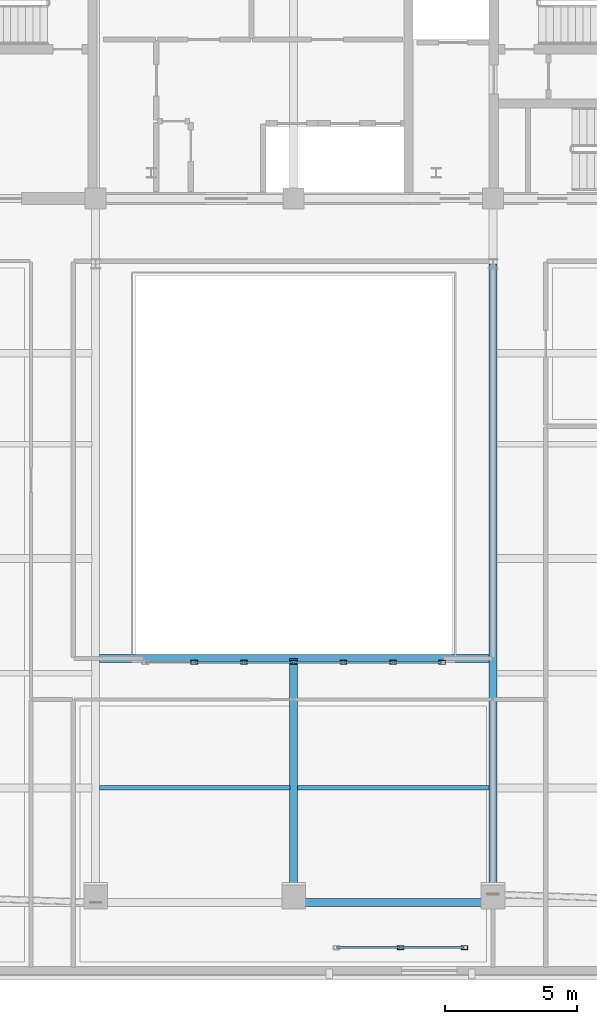
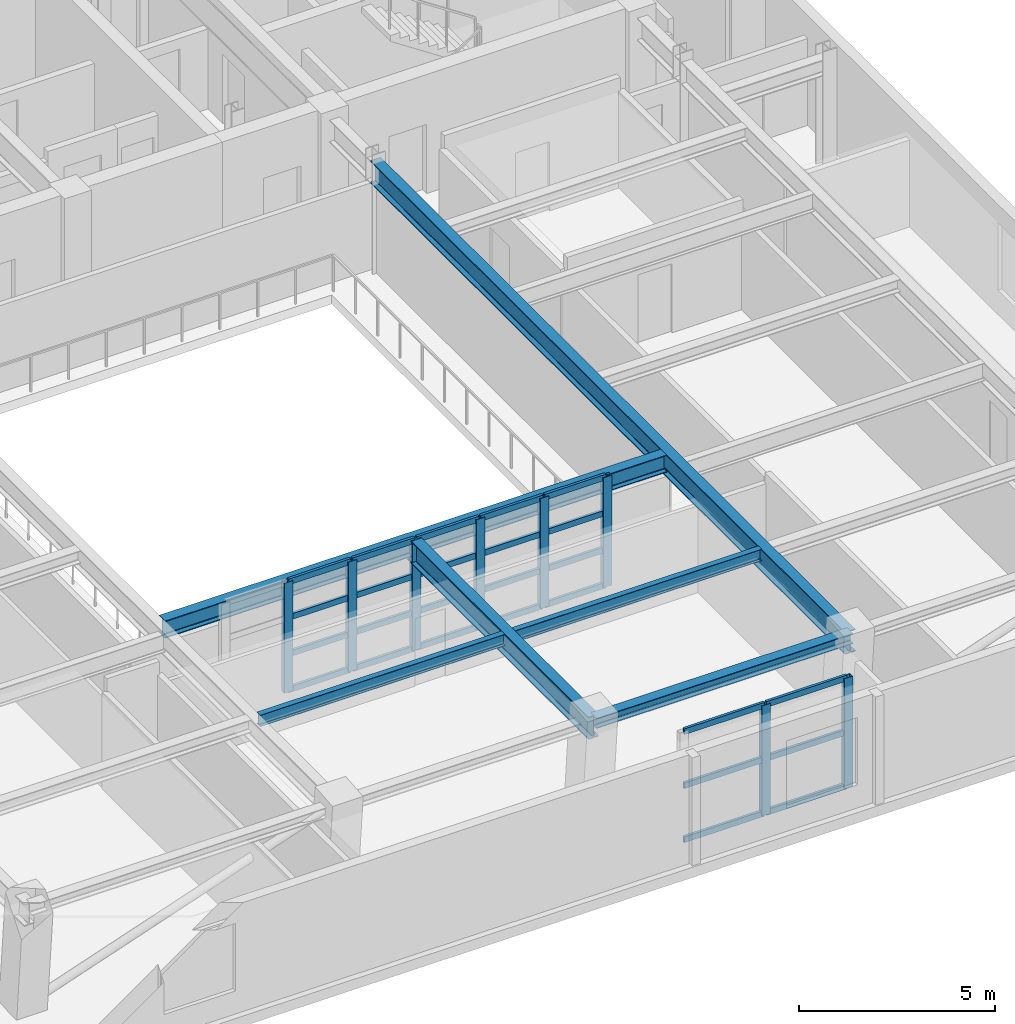
# One storey, part 3 of 12: 34 members, 6 beams, 2 elements without a shape of their own.
"""IFC4 building model written with IfcOpenShell, lengths in metres."""

from ifc_helpers import new_model, si_unit, direction, frame, origin, origin_2d, place, context, subcontext, project, spatial, hollow_rectangle, i_section, extrude, material, layer, layer_set, material_profile, profile_set, type_object, element, aggregate, save


model = new_model("IFC4")

# Units and contexts
model_context = context("Model", 3, precision=1e-05, world=origin(), true_north=direction((0.0, 1.0)))
body_context = subcontext(model_context, "Body", "Model", "MODEL_VIEW")
ifc_project = project(units=[si_unit("LENGTHUNIT", "METRE"), si_unit("AREAUNIT", "SQUARE_METRE"), si_unit("VOLUMEUNIT", "CUBIC_METRE"), si_unit("PLANEANGLEUNIT", "RADIAN"), si_unit("MASSUNIT", "GRAM", prefix="KILO")], contexts=[model_context])

# Site, building, storey
site_placement = place(None, origin())
site = spatial("IfcSite", under=ifc_project, at=site_placement, CompositionType="ELEMENT")
building_placement = place(site_placement, origin())
building = spatial("IfcBuilding", under=site, at=building_placement, Name="Zarnavel Station Tower", CompositionType="ELEMENT")
storey_placement = place(building_placement, frame((0.0, 0.0, 273.199951171875)))
storey = spatial("IfcBuildingStorey", under=building, at=storey_placement, Name="L74", CompositionType="ELEMENT", Elevation=273.199951171875)

# Curtain wall, members
ifc_material_1 = material(Name="Aluminium Dark Anodised and Solar-Control Glass", Category="aluminium")
ifc_layer = layer(ifc_material_1, 0.179931640625)
ifc_layer_set = layer_set([ifc_layer], Name="CWS6")
curtain_wall_type = type_object("IfcCurtainWallType", Name="CWS6", PredefinedType="NOTDEFINED", material=ifc_layer_set)
curtain_wall_1_placement = place(storey_placement, origin())
curtain_wall_1 = element("IfcCurtainWall", 1, at=curtain_wall_1_placement, inside=storey, type_object=curtain_wall_type, Name="L74 Curtain Wall CWS6-LOG-L74", PredefinedType="NOTDEFINED")
ifc_material_2 = material(Name="Steel S355J2 (Black Fluoropolymer Coated)", Category="steel")
ifc_material_profile_1 = material_profile(ifc_material_2, hollow_rectangle(XDim=0.14990234375, YDim=0.25, WallThickness=0.010009765625, at=origin_2d()), Name="RHS250x150x10")
ifc_profile_set_1 = profile_set([ifc_material_profile_1], Name="Steel S355J2 (Black Fluoropolymer Coated)")
member_type_1 = type_object("IfcMemberType", Name="CWS6_MUL", PredefinedType="MULLION", material=ifc_profile_set_1)
member_1_placement = place(storey_placement, frame((32.85009765625, -0.550048828125, 0.0), z_axis=(0.0, 0.0, 1.0), x_axis=(0.0, 1.0, 0.0)))
member_1 = element("IfcMember", 2, at=member_1_placement, type_object=member_type_1, Name="CW6 mullion 2", PredefinedType="MULLION", context=body_context, shape_type="SweptSolid", body=[
    extrude(hollow_rectangle(XDim=0.14990234375, YDim=0.25, WallThickness=0.010009765625, at=origin_2d()), origin(), (0.0, 0.0, 1.0), 3.420166015625),
])
member_2_placement = place(storey_placement, frame((35.27001953125, -0.550048828125, 0.0), z_axis=(0.0, 0.0, 1.0), x_axis=(0.0, 1.0, 0.0)))
member_2 = element("IfcMember", 3, at=member_2_placement, type_object=member_type_1, Name="CW6 mullion 3", PredefinedType="MULLION", context=body_context, shape_type="SweptSolid", body=[
    extrude(hollow_rectangle(XDim=0.14990234375, YDim=0.25, WallThickness=0.010009765625, at=origin_2d()), origin(), (0.0, 0.0, 1.0), 3.420166015625),
])

curtain_wall_2_placement = place(storey_placement, origin())
curtain_wall_2 = element("IfcCurtainWall", 4, at=curtain_wall_2_placement, inside=storey, type_object=curtain_wall_type, Name="L74 Curtain Wall CWS6-L74-AS", PredefinedType="NOTDEFINED")
member_3_placement = place(storey_placement, frame((25.033447265625, 10.25, 0.0), z_axis=(0.0, 0.0, 1.0), x_axis=(0.0, 1.0, 0.0)))
member_3 = element("IfcMember", 5, at=member_3_placement, type_object=member_type_1, Name="CW6 mullion 2", PredefinedType="MULLION", context=body_context, shape_type="SweptSolid", body=[
    extrude(hollow_rectangle(XDim=0.14990234375, YDim=0.25, WallThickness=0.010009765625, at=origin_2d()), origin(), (0.0, 0.0, 1.0), 3.420166015625),
])
member_4_placement = place(storey_placement, frame((26.916748046875, 10.25, 0.0), z_axis=(0.0, 0.0, 1.0), x_axis=(0.0, 1.0, 0.0)))
member_4 = element("IfcMember", 6, at=member_4_placement, type_object=member_type_1, Name="CW6 mullion 3", PredefinedType="MULLION", context=body_context, shape_type="SweptSolid", body=[
    extrude(hollow_rectangle(XDim=0.14990234375, YDim=0.25, WallThickness=0.010009765625, at=origin_2d()), origin(), (0.0, 0.0, 1.0), 3.420166015625),
])
member_5_placement = place(storey_placement, frame((28.800048828125, 10.25, 0.0), z_axis=(0.0, 0.0, 1.0), x_axis=(0.0, 1.0, 0.0)))
member_5 = element("IfcMember", 7, at=member_5_placement, type_object=member_type_1, Name="CW6 mullion 4", PredefinedType="MULLION", context=body_context, shape_type="SweptSolid", body=[
    extrude(hollow_rectangle(XDim=0.14990234375, YDim=0.25, WallThickness=0.010009765625, at=origin_2d()), origin(), (0.0, 0.0, 1.0), 3.420166015625),
])
member_6_placement = place(storey_placement, frame((30.683349609375, 10.25, 0.0), z_axis=(0.0, 0.0, 1.0), x_axis=(0.0, 1.0, 0.0)))
member_6 = element("IfcMember", 8, at=member_6_placement, type_object=member_type_1, Name="CW6 mullion 5", PredefinedType="MULLION", context=body_context, shape_type="SweptSolid", body=[
    extrude(hollow_rectangle(XDim=0.14990234375, YDim=0.25, WallThickness=0.010009765625, at=origin_2d()), origin(), (0.0, 0.0, 1.0), 3.420166015625),
])
member_7_placement = place(storey_placement, frame((32.566650390625, 10.25, 0.0), z_axis=(0.0, 0.0, 1.0), x_axis=(0.0, 1.0, 0.0)))
member_7 = element("IfcMember", 9, at=member_7_placement, type_object=member_type_1, Name="CW6 mullion 6", PredefinedType="MULLION", context=body_context, shape_type="SweptSolid", body=[
    extrude(hollow_rectangle(XDim=0.14990234375, YDim=0.25, WallThickness=0.010009765625, at=origin_2d()), origin(), (0.0, 0.0, 1.0), 3.420166015625),
])
member_8_placement = place(storey_placement, frame((34.419921875, 10.25, 0.0), z_axis=(0.0, 0.0, 1.0), x_axis=(0.0, 1.0, 0.0)))
member_8 = element("IfcMember", 10, at=member_8_placement, type_object=member_type_1, Name="CW6 mullion 7", PredefinedType="MULLION", context=body_context, shape_type="SweptSolid", body=[
    extrude(hollow_rectangle(XDim=0.14990234375, YDim=0.25, WallThickness=0.010009765625, at=origin_2d()), origin(), (0.0, 0.0, 1.0), 3.420166015625),
])

# Member
ifc_material_3 = material(Name="Steel S355J2 (Black Fluoropolymer Coated)", Category="steel")
ifc_material_profile_2 = material_profile(ifc_material_3, hollow_rectangle(XDim=0.080078125, YDim=0.179931640625, WallThickness=0.00634765625, at=origin_2d()), Name="RHS180x80x6.3")
ifc_profile_set_2 = profile_set([ifc_material_profile_2], Name="Steel S355J2 (Black Fluoropolymer Coated)")
member_type_2 = type_object("IfcMemberType", Name="CWS6_TRN", PredefinedType="USERDEFINED", material=ifc_profile_set_2)
member_9_placement = place(storey_placement, frame((30.4599609375, -0.550048828125, 0.030029296875), z_axis=(1.0, 0.0, 0.0), x_axis=(0.0, 1.0, 0.0)))
member_9 = element("IfcMember", 11, at=member_9_placement, type_object=member_type_2, Name="CW6 transom 1.1", ObjectType="TRANSOM", PredefinedType="USERDEFINED", context=body_context, shape_type="SweptSolid", body=[
    extrude(hollow_rectangle(XDim=0.080078125, YDim=0.179931640625, WallThickness=0.00634765625, at=origin_2d()), origin(), (0.0, 0.0, 1.0), 2.360107421875),
])

member_10_placement = place(storey_placement, frame((30.4599609375, -0.550048828125, 1.7099609375), z_axis=(1.0, 0.0, 0.0), x_axis=(0.0, 1.0, 0.0)))
member_10 = element("IfcMember", 12, at=member_10_placement, type_object=member_type_2, Name="CW6 transom 1.2", ObjectType="TRANSOM", PredefinedType="USERDEFINED", context=body_context, shape_type="SweptSolid", body=[
    extrude(hollow_rectangle(XDim=0.080078125, YDim=0.179931640625, WallThickness=0.00634765625, at=origin_2d()), origin(), (0.0, 0.0, 1.0), 2.360107421875),
])

member_11_placement = place(storey_placement, frame((30.4599609375, -0.550048828125, 3.39013671875), z_axis=(1.0, 0.0, 0.0), x_axis=(0.0, 1.0, 0.0)))
member_11 = element("IfcMember", 13, at=member_11_placement, type_object=member_type_2, Name="CW6 transom 1.3", ObjectType="TRANSOM", PredefinedType="USERDEFINED", context=body_context, shape_type="SweptSolid", body=[
    extrude(hollow_rectangle(XDim=0.080078125, YDim=0.179931640625, WallThickness=0.00634765625, at=origin_2d()), origin(), (0.0, 0.0, 1.0), 2.360107421875),
])

member_12_placement = place(storey_placement, frame((32.8798828125, -0.550048828125, 0.030029296875), z_axis=(1.0, 0.0, 0.0), x_axis=(0.0, 1.0, 0.0)))
member_12 = element("IfcMember", 14, at=member_12_placement, type_object=member_type_2, Name="CW6 transom 2.1", ObjectType="TRANSOM", PredefinedType="USERDEFINED", context=body_context, shape_type="SweptSolid", body=[
    extrude(hollow_rectangle(XDim=0.080078125, YDim=0.179931640625, WallThickness=0.00634765625, at=origin_2d()), origin(), (0.0, 0.0, 1.0), 2.360107421875),
])

member_13_placement = place(storey_placement, frame((32.8798828125, -0.550048828125, 1.7099609375), z_axis=(1.0, 0.0, 0.0), x_axis=(0.0, 1.0, 0.0)))
member_13 = element("IfcMember", 15, at=member_13_placement, type_object=member_type_2, Name="CW6 transom 2.2", ObjectType="TRANSOM", PredefinedType="USERDEFINED", context=body_context, shape_type="SweptSolid", body=[
    extrude(hollow_rectangle(XDim=0.080078125, YDim=0.179931640625, WallThickness=0.00634765625, at=origin_2d()), origin(), (0.0, 0.0, 1.0), 2.360107421875),
])

member_14_placement = place(storey_placement, frame((32.8798828125, -0.550048828125, 3.39013671875), z_axis=(1.0, 0.0, 0.0), x_axis=(0.0, 1.0, 0.0)))
member_14 = element("IfcMember", 16, at=member_14_placement, type_object=member_type_2, Name="CW6 transom 2.3", ObjectType="TRANSOM", PredefinedType="USERDEFINED", context=body_context, shape_type="SweptSolid", body=[
    extrude(hollow_rectangle(XDim=0.080078125, YDim=0.179931640625, WallThickness=0.00634765625, at=origin_2d()), origin(), (0.0, 0.0, 1.0), 2.360107421875),
])

aggregate(curtain_wall_1, [member_1, member_2, member_9, member_10, member_11, member_12, member_13, member_14])

member_15_placement = place(storey_placement, frame((25.063232421875, 10.25, 0.030029296875), z_axis=(1.0, 0.0, 0.0), x_axis=(0.0, 1.0, 0.0)))
member_15 = element("IfcMember", 17, at=member_15_placement, type_object=member_type_2, Name="CW6 transom 2.1", ObjectType="TRANSOM", PredefinedType="USERDEFINED", context=body_context, shape_type="SweptSolid", body=[
    extrude(hollow_rectangle(XDim=0.080078125, YDim=0.179931640625, WallThickness=0.00634765625, at=origin_2d()), origin(), (0.0, 0.0, 1.0), 1.823486328125),
])

member_16_placement = place(storey_placement, frame((25.063232421875, 10.25, 1.14013671875), z_axis=(1.0, 0.0, 0.0), x_axis=(0.0, 1.0, 0.0)))
member_16 = element("IfcMember", 18, at=member_16_placement, type_object=member_type_2, Name="CW6 transom 2.2", ObjectType="TRANSOM", PredefinedType="USERDEFINED", context=body_context, shape_type="SweptSolid", body=[
    extrude(hollow_rectangle(XDim=0.080078125, YDim=0.179931640625, WallThickness=0.00634765625, at=origin_2d()), origin(), (0.0, 0.0, 1.0), 1.823486328125),
])

member_17_placement = place(storey_placement, frame((25.063232421875, 10.25, 2.280029296875), z_axis=(1.0, 0.0, 0.0), x_axis=(0.0, 1.0, 0.0)))
member_17 = element("IfcMember", 19, at=member_17_placement, type_object=member_type_2, Name="CW6 transom 2.3", ObjectType="TRANSOM", PredefinedType="USERDEFINED", context=body_context, shape_type="SweptSolid", body=[
    extrude(hollow_rectangle(XDim=0.080078125, YDim=0.179931640625, WallThickness=0.00634765625, at=origin_2d()), origin(), (0.0, 0.0, 1.0), 1.823486328125),
])

member_18_placement = place(storey_placement, frame((25.063232421875, 10.25, 3.39013671875), z_axis=(1.0, 0.0, 0.0), x_axis=(0.0, 1.0, 0.0)))
member_18 = element("IfcMember", 20, at=member_18_placement, type_object=member_type_2, Name="CW6 transom 2.4", ObjectType="TRANSOM", PredefinedType="USERDEFINED", context=body_context, shape_type="SweptSolid", body=[
    extrude(hollow_rectangle(XDim=0.080078125, YDim=0.179931640625, WallThickness=0.00634765625, at=origin_2d()), origin(), (0.0, 0.0, 1.0), 1.823486328125),
])

member_19_placement = place(storey_placement, frame((26.94677734375, 10.25, 0.030029296875), z_axis=(1.0, 0.0, 0.0), x_axis=(0.0, 1.0, 0.0)))
member_19 = element("IfcMember", 21, at=member_19_placement, type_object=member_type_2, Name="CW6 transom 3.1", ObjectType="TRANSOM", PredefinedType="USERDEFINED", context=body_context, shape_type="SweptSolid", body=[
    extrude(hollow_rectangle(XDim=0.080078125, YDim=0.179931640625, WallThickness=0.00634765625, at=origin_2d()), origin(), (0.0, 0.0, 1.0), 1.8232421875),
])

member_20_placement = place(storey_placement, frame((26.94677734375, 10.25, 1.14013671875), z_axis=(1.0, 0.0, 0.0), x_axis=(0.0, 1.0, 0.0)))
member_20 = element("IfcMember", 22, at=member_20_placement, type_object=member_type_2, Name="CW6 transom 3.2", ObjectType="TRANSOM", PredefinedType="USERDEFINED", context=body_context, shape_type="SweptSolid", body=[
    extrude(hollow_rectangle(XDim=0.080078125, YDim=0.179931640625, WallThickness=0.00634765625, at=origin_2d()), origin(), (0.0, 0.0, 1.0), 1.8232421875),
])

member_21_placement = place(storey_placement, frame((26.94677734375, 10.25, 2.280029296875), z_axis=(1.0, 0.0, 0.0), x_axis=(0.0, 1.0, 0.0)))
member_21 = element("IfcMember", 23, at=member_21_placement, type_object=member_type_2, Name="CW6 transom 3.3", ObjectType="TRANSOM", PredefinedType="USERDEFINED", context=body_context, shape_type="SweptSolid", body=[
    extrude(hollow_rectangle(XDim=0.080078125, YDim=0.179931640625, WallThickness=0.00634765625, at=origin_2d()), origin(), (0.0, 0.0, 1.0), 1.8232421875),
])

member_22_placement = place(storey_placement, frame((26.94677734375, 10.25, 3.39013671875), z_axis=(1.0, 0.0, 0.0), x_axis=(0.0, 1.0, 0.0)))
member_22 = element("IfcMember", 24, at=member_22_placement, type_object=member_type_2, Name="CW6 transom 3.4", ObjectType="TRANSOM", PredefinedType="USERDEFINED", context=body_context, shape_type="SweptSolid", body=[
    extrude(hollow_rectangle(XDim=0.080078125, YDim=0.179931640625, WallThickness=0.00634765625, at=origin_2d()), origin(), (0.0, 0.0, 1.0), 1.8232421875),
])

member_23_placement = place(storey_placement, frame((28.830078125, 10.25, 0.030029296875), z_axis=(1.0, 0.0, 0.0), x_axis=(0.0, 1.0, 0.0)))
member_23 = element("IfcMember", 25, at=member_23_placement, type_object=member_type_2, Name="CW6 transom 4.1", ObjectType="TRANSOM", PredefinedType="USERDEFINED", context=body_context, shape_type="SweptSolid", body=[
    extrude(hollow_rectangle(XDim=0.080078125, YDim=0.179931640625, WallThickness=0.00634765625, at=origin_2d()), origin(), (0.0, 0.0, 1.0), 1.8232421875),
])

member_24_placement = place(storey_placement, frame((28.830078125, 10.25, 1.14013671875), z_axis=(1.0, 0.0, 0.0), x_axis=(0.0, 1.0, 0.0)))
member_24 = element("IfcMember", 26, at=member_24_placement, type_object=member_type_2, Name="CW6 transom 4.2", ObjectType="TRANSOM", PredefinedType="USERDEFINED", context=body_context, shape_type="SweptSolid", body=[
    extrude(hollow_rectangle(XDim=0.080078125, YDim=0.179931640625, WallThickness=0.00634765625, at=origin_2d()), origin(), (0.0, 0.0, 1.0), 1.8232421875),
])

member_25_placement = place(storey_placement, frame((28.830078125, 10.25, 2.280029296875), z_axis=(1.0, 0.0, 0.0), x_axis=(0.0, 1.0, 0.0)))
member_25 = element("IfcMember", 27, at=member_25_placement, type_object=member_type_2, Name="CW6 transom 4.3", ObjectType="TRANSOM", PredefinedType="USERDEFINED", context=body_context, shape_type="SweptSolid", body=[
    extrude(hollow_rectangle(XDim=0.080078125, YDim=0.179931640625, WallThickness=0.00634765625, at=origin_2d()), origin(), (0.0, 0.0, 1.0), 1.8232421875),
])

member_26_placement = place(storey_placement, frame((28.830078125, 10.25, 3.39013671875), z_axis=(1.0, 0.0, 0.0), x_axis=(0.0, 1.0, 0.0)))
member_26 = element("IfcMember", 28, at=member_26_placement, type_object=member_type_2, Name="CW6 transom 4.4", ObjectType="TRANSOM", PredefinedType="USERDEFINED", context=body_context, shape_type="SweptSolid", body=[
    extrude(hollow_rectangle(XDim=0.080078125, YDim=0.179931640625, WallThickness=0.00634765625, at=origin_2d()), origin(), (0.0, 0.0, 1.0), 1.8232421875),
])

member_27_placement = place(storey_placement, frame((30.71337890625, 10.25, 0.030029296875), z_axis=(1.0, 0.0, 0.0), x_axis=(0.0, 1.0, 0.0)))
member_27 = element("IfcMember", 29, at=member_27_placement, type_object=member_type_2, Name="CW6 transom 5.1", ObjectType="TRANSOM", PredefinedType="USERDEFINED", context=body_context, shape_type="SweptSolid", body=[
    extrude(hollow_rectangle(XDim=0.080078125, YDim=0.179931640625, WallThickness=0.00634765625, at=origin_2d()), origin(), (0.0, 0.0, 1.0), 1.8232421875),
])

member_28_placement = place(storey_placement, frame((30.71337890625, 10.25, 1.14013671875), z_axis=(1.0, 0.0, 0.0), x_axis=(0.0, 1.0, 0.0)))
member_28 = element("IfcMember", 30, at=member_28_placement, type_object=member_type_2, Name="CW6 transom 5.2", ObjectType="TRANSOM", PredefinedType="USERDEFINED", context=body_context, shape_type="SweptSolid", body=[
    extrude(hollow_rectangle(XDim=0.080078125, YDim=0.179931640625, WallThickness=0.00634765625, at=origin_2d()), origin(), (0.0, 0.0, 1.0), 1.8232421875),
])

member_29_placement = place(storey_placement, frame((30.71337890625, 10.25, 2.280029296875), z_axis=(1.0, 0.0, 0.0), x_axis=(0.0, 1.0, 0.0)))
member_29 = element("IfcMember", 31, at=member_29_placement, type_object=member_type_2, Name="CW6 transom 5.3", ObjectType="TRANSOM", PredefinedType="USERDEFINED", context=body_context, shape_type="SweptSolid", body=[
    extrude(hollow_rectangle(XDim=0.080078125, YDim=0.179931640625, WallThickness=0.00634765625, at=origin_2d()), origin(), (0.0, 0.0, 1.0), 1.8232421875),
])

member_30_placement = place(storey_placement, frame((30.71337890625, 10.25, 3.39013671875), z_axis=(1.0, 0.0, 0.0), x_axis=(0.0, 1.0, 0.0)))
member_30 = element("IfcMember", 32, at=member_30_placement, type_object=member_type_2, Name="CW6 transom 5.4", ObjectType="TRANSOM", PredefinedType="USERDEFINED", context=body_context, shape_type="SweptSolid", body=[
    extrude(hollow_rectangle(XDim=0.080078125, YDim=0.179931640625, WallThickness=0.00634765625, at=origin_2d()), origin(), (0.0, 0.0, 1.0), 1.8232421875),
])

member_31_placement = place(storey_placement, frame((32.5966796875, 10.25, 0.030029296875), z_axis=(1.0, 0.0, 0.0), x_axis=(0.0, 1.0, 0.0)))
member_31 = element("IfcMember", 33, at=member_31_placement, type_object=member_type_2, Name="CW6 transom 6.1", ObjectType="TRANSOM", PredefinedType="USERDEFINED", context=body_context, shape_type="SweptSolid", body=[
    extrude(hollow_rectangle(XDim=0.080078125, YDim=0.179931640625, WallThickness=0.00634765625, at=origin_2d()), origin(), (0.0, 0.0, 1.0), 1.793212890625),
])

member_32_placement = place(storey_placement, frame((32.5966796875, 10.25, 1.14013671875), z_axis=(1.0, 0.0, 0.0), x_axis=(0.0, 1.0, 0.0)))
member_32 = element("IfcMember", 34, at=member_32_placement, type_object=member_type_2, Name="CW6 transom 6.2", ObjectType="TRANSOM", PredefinedType="USERDEFINED", context=body_context, shape_type="SweptSolid", body=[
    extrude(hollow_rectangle(XDim=0.080078125, YDim=0.179931640625, WallThickness=0.00634765625, at=origin_2d()), origin(), (0.0, 0.0, 1.0), 1.793212890625),
])

member_33_placement = place(storey_placement, frame((32.5966796875, 10.25, 2.280029296875), z_axis=(1.0, 0.0, 0.0), x_axis=(0.0, 1.0, 0.0)))
member_33 = element("IfcMember", 35, at=member_33_placement, type_object=member_type_2, Name="CW6 transom 6.3", ObjectType="TRANSOM", PredefinedType="USERDEFINED", context=body_context, shape_type="SweptSolid", body=[
    extrude(hollow_rectangle(XDim=0.080078125, YDim=0.179931640625, WallThickness=0.00634765625, at=origin_2d()), origin(), (0.0, 0.0, 1.0), 1.793212890625),
])

member_34_placement = place(storey_placement, frame((32.5966796875, 10.25, 3.39013671875), z_axis=(1.0, 0.0, 0.0), x_axis=(0.0, 1.0, 0.0)))
member_34 = element("IfcMember", 36, at=member_34_placement, type_object=member_type_2, Name="CW6 transom 6.4", ObjectType="TRANSOM", PredefinedType="USERDEFINED", context=body_context, shape_type="SweptSolid", body=[
    extrude(hollow_rectangle(XDim=0.080078125, YDim=0.179931640625, WallThickness=0.00634765625, at=origin_2d()), origin(), (0.0, 0.0, 1.0), 1.793212890625),
])

aggregate(curtain_wall_2, [member_3, member_4, member_5, member_6, member_7, member_8, member_15, member_16, member_17, member_18, member_19, member_20, member_21, member_22, member_23, member_24, member_25, member_26, member_27, member_28, member_29, member_30, member_31, member_32, member_33, member_34])

# Beams
ifc_material_4 = material(Name="Steel S355J2", Category="steel")
ifc_material_profile_3 = material_profile(ifc_material_4, i_section(OverallWidth=0.300048828125, OverallDepth=0.320068359375, WebThickness=0.011474609375, FlangeThickness=0.0205078125, FilletRadius=0.027099609375, at=origin_2d()), Name="HEB320")
ifc_profile_set_3 = profile_set([ifc_material_profile_3], Name="Steel S355J2")
beam_type_1 = type_object("IfcBeamType", Name="EB_HEB320", PredefinedType="SPANDREL", material=ifc_profile_set_3)
beam_1_placement = place(storey_placement, frame((28.800048828125, 1.16064453125, 3.260009765625), z_axis=(1.0, 0.0, 0.0), x_axis=(0.0, 1.0, 0.0)))
element("IfcBeam", 37, at=beam_1_placement, inside=storey, type_object=beam_type_1, Name="L74 South Raked Spandrel 3", PredefinedType="SPANDREL", context=body_context, shape_type="SweptSolid", body=[
    extrude(i_section(OverallWidth=0.300048828125, OverallDepth=0.320068359375, WebThickness=0.011474609375, FlangeThickness=0.0205078125, FilletRadius=0.027099609375, at=origin_2d()), origin(), (0.0, 0.0, 1.0), 7.550048828125),
])
ifc_material_5 = material(Name="Steel S355J2", Category="steel")
ifc_material_profile_4 = material_profile(ifc_material_5, i_section(OverallWidth=0.300048828125, OverallDepth=0.5400390625, WebThickness=0.012451171875, FlangeThickness=0.02392578125, FilletRadius=0.027099609375, at=origin_2d()), Name="HEA550")
ifc_profile_set_4 = profile_set([ifc_material_profile_4], Name="Steel S355J2")
beam_type_2 = type_object("IfcBeamType", Name="FB_HEA550", PredefinedType="BEAM", material=ifc_profile_set_4)
beam_2_placement = place(storey_placement, frame((21.445068359375, 10.39990234375, 3.150146484375), z_axis=(1.0, 0.0, 0.0), x_axis=(0.0, 1.0, 0.0)))
element("IfcBeam", 38, at=beam_2_placement, inside=storey, type_object=beam_type_2, Name="L74 Atrium South Edge Girder", PredefinedType="BEAM", context=body_context, shape_type="SweptSolid", body=[
    extrude(i_section(OverallWidth=0.300048828125, OverallDepth=0.5400390625, WebThickness=0.012451171875, FlangeThickness=0.02392578125, FilletRadius=0.027099609375, at=origin_2d()), origin(), (0.0, 0.0, 1.0), 14.760009765625),
])
ifc_material_6 = material(Name="Steel S355J2", Category="steel")
ifc_material_profile_5 = material_profile(ifc_material_6, i_section(OverallWidth=0.300048828125, OverallDepth=0.699951171875, WebThickness=0.01708984375, FlangeThickness=0.031982421875, FilletRadius=0.027099609375, at=origin_2d()), Name="HEB700")
ifc_profile_set_5 = profile_set([ifc_material_profile_5], Name="Steel S355J2")
beam_type_3 = type_object("IfcBeamType", Name="FG_HEB700", PredefinedType="USERDEFINED", material=ifc_profile_set_5)
beam_3_placement = place(storey_placement, frame((28.800048828125, 1.16064453125, 3.070068359375), z_axis=(0.0, 1.0, 0.0), x_axis=(-1.0, 0.0, 0.0)))
element("IfcBeam", 39, at=beam_3_placement, inside=storey, type_object=beam_type_3, Name="L74 Central Atrium-South Girder", ObjectType="GIRDER", PredefinedType="USERDEFINED", context=body_context, shape_type="SweptSolid", body=[
    extrude(i_section(OverallWidth=0.300048828125, OverallDepth=0.699951171875, WebThickness=0.01708984375, FlangeThickness=0.031982421875, FilletRadius=0.027099609375, at=origin_2d()), origin(), (0.0, 0.0, 1.0), 9.2392578125),
])
beam_4_placement = place(storey_placement, frame((36.35009765625, 1.16064453125, 3.070068359375), z_axis=(0.0, 1.0, 0.0), x_axis=(-1.0, 0.0, 0.0)))
element("IfcBeam", 40, at=beam_4_placement, inside=storey, type_object=beam_type_3, Name="L74 South-Zone NS Girder 4", ObjectType="GIRDER", PredefinedType="USERDEFINED", context=body_context, shape_type="SweptSolid", body=[
    extrude(i_section(OverallWidth=0.300048828125, OverallDepth=0.699951171875, WebThickness=0.01708984375, FlangeThickness=0.031982421875, FilletRadius=0.027099609375, at=origin_2d()), origin(), (0.0, 0.0, 1.0), 24.189453125),
])
ifc_material_7 = material(Name="Steel S355J2", Category="steel")
ifc_material_profile_6 = material_profile(ifc_material_7, i_section(OverallWidth=0.169921875, OverallDepth=0.360107421875, WebThickness=0.008056640625, FlangeThickness=0.0126953125, FilletRadius=0.01806640625, at=origin_2d()), Name="IPE360")
ifc_profile_set_6 = profile_set([ifc_material_profile_6], Name="Steel S355J2")
beam_type_4 = type_object("IfcBeamType", Name="FJ_IPE360", PredefinedType="JOIST", material=ifc_profile_set_6)
beam_5_placement = place(storey_placement, frame((21.445068359375, 5.50048828125, 3.239990234375), z_axis=(1.0, 0.0, 0.0), x_axis=(0.0, 1.0, 0.0)))
element("IfcBeam", 41, at=beam_5_placement, inside=storey, type_object=beam_type_4, Name="L74 Mid-West Joist 1", PredefinedType="JOIST", context=body_context, shape_type="SweptSolid", body=[
    extrude(i_section(OverallWidth=0.169921875, OverallDepth=0.360107421875, WebThickness=0.008056640625, FlangeThickness=0.0126953125, FilletRadius=0.01806640625, at=origin_2d()), origin(), (0.0, 0.0, 1.0), 7.2099609375),
])
beam_6_placement = place(storey_placement, frame((28.945068359375, 5.50048828125, 3.239990234375), z_axis=(1.0, 0.0, 0.0), x_axis=(0.0, 1.0, 0.0)))
element("IfcBeam", 42, at=beam_6_placement, inside=storey, type_object=beam_type_4, Name="L74 Mid-East Joist 1", PredefinedType="JOIST", context=body_context, shape_type="SweptSolid", body=[
    extrude(i_section(OverallWidth=0.169921875, OverallDepth=0.360107421875, WebThickness=0.008056640625, FlangeThickness=0.0126953125, FilletRadius=0.01806640625, at=origin_2d()), origin(), (0.0, 0.0, 1.0), 7.260009765625),
])

save(model, "model.ifc")
